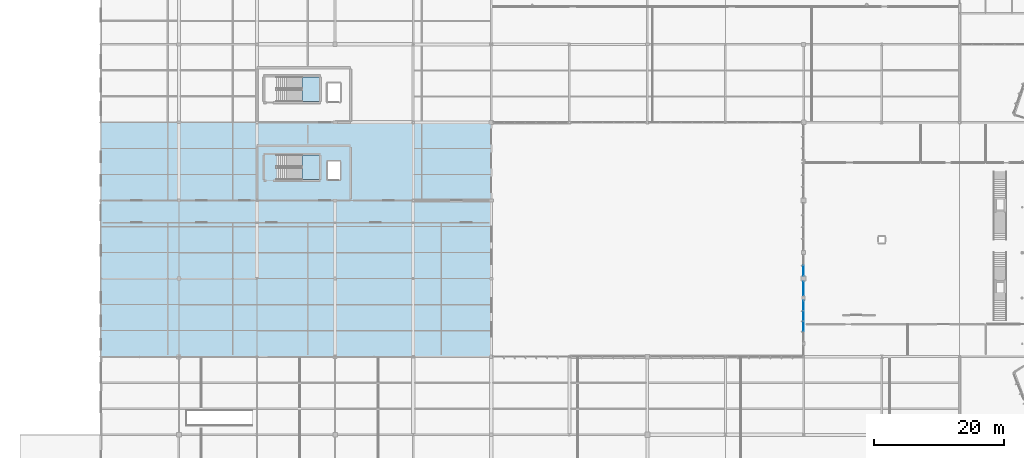
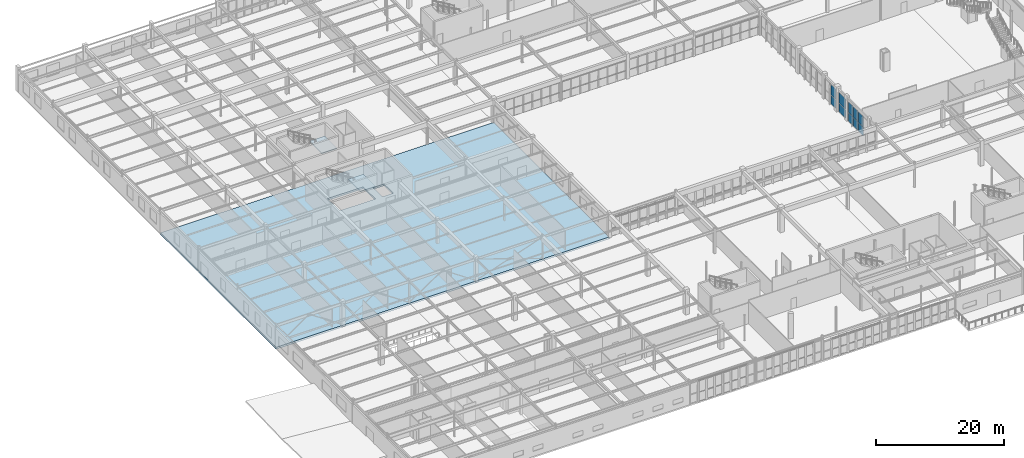
# One storey, part 119 of 199: 10 plates, 3 slabs, 5 elements without a shape of their own.
"""IFC4 building model written with IfcOpenShell, lengths in metres."""

from ifc_helpers import new_model, si_unit, direction, frame, origin, origin_2d, place, context, subcontext, project, spatial, polyline, rectangle, outline, extrude, material, layer, layer_set, type_object, element, aggregate, save


model = new_model("IFC4")

# Units and contexts
model_context = context("Model", 3, precision=1e-05, world=origin(), true_north=direction((0.0, 1.0)))
body_context = subcontext(model_context, "Body", "Model", "MODEL_VIEW")
ifc_project = project(units=[si_unit("LENGTHUNIT", "METRE"), si_unit("AREAUNIT", "SQUARE_METRE"), si_unit("VOLUMEUNIT", "CUBIC_METRE"), si_unit("PLANEANGLEUNIT", "RADIAN"), si_unit("MASSUNIT", "GRAM", prefix="KILO")], contexts=[model_context])

# Site, building, storey
site_placement = place(None, origin())
site = spatial("IfcSite", under=ifc_project, at=site_placement, CompositionType="ELEMENT")
building_placement = place(site_placement, origin())
building = spatial("IfcBuilding", under=site, at=building_placement, Name="Tarnwether General Hospital", CompositionType="ELEMENT")
storey_placement = place(building_placement, origin())
storey = spatial("IfcBuildingStorey", under=building, at=storey_placement, Name="L00", CompositionType="ELEMENT", Elevation=0.0)

# Curtain wall, plates
ifc_material_1 = material(Name="Anodised aluminium", Category="aluminium")
ifc_layer_1 = layer(ifc_material_1, 0.179931640625)
ifc_layer_set_1 = layer_set([ifc_layer_1], Name="Anodised aluminium")
curtain_wall_type = type_object("IfcCurtainWallType", Name="CW-08", PredefinedType="NOTDEFINED", material=ifc_layer_set_1)
curtain_wall_1_placement = place(storey_placement, origin())
curtain_wall_1 = element("IfcCurtainWall", 1, at=curtain_wall_1_placement, inside=storey, type_object=curtain_wall_type, Name="Curtain Wall CWG-L00-1080_479-0299", PredefinedType="NOTDEFINED")
ifc_material_2 = material(Name="Double glazed low-E glass", Category="glass")
ifc_layer_2 = layer(ifc_material_2, 0.028076171875)
ifc_layer_set_2 = layer_set([ifc_layer_2], Name="Double glazed low-E glass")
plate_type = type_object("IfcPlateType", Name="PT-CWP1", PredefinedType="CURTAIN_PANEL", material=ifc_layer_set_2)
plate_1_placement = place(storey_placement, frame((108.0, 50.283203125, 0.06005859375), z_axis=(0.0, 0.0, 1.0), x_axis=(0.0, 1.0, 0.0)))
plate_1 = element("IfcPlate", 2, at=plate_1_placement, type_object=plate_type, Name="CW-08 panel 2.1", PredefinedType="CURTAIN_PANEL", context=body_context, shape_type="SweptSolid", body=[
    extrude(rectangle(XDim=1.5234375, YDim=0.028076171875, at=origin_2d()), origin(), (0.0, 0.0, 1.0), 1.628173828125),
])
plate_2_placement = place(storey_placement, frame((108.0, 50.283203125, 1.748046875), z_axis=(0.0, 0.0, 1.0), x_axis=(0.0, 1.0, 0.0)))
plate_2 = element("IfcPlate", 3, at=plate_2_placement, type_object=plate_type, Name="CW-08 panel 2.2", PredefinedType="CURTAIN_PANEL", context=body_context, shape_type="SweptSolid", body=[
    extrude(rectangle(XDim=1.5234375, YDim=0.028076171875, at=origin_2d()), origin(), (0.0, 0.0, 1.0), 2.010009765625),
])
plate_3_placement = place(storey_placement, frame((108.0, 51.86669921875, 0.06005859375), z_axis=(0.0, 0.0, 1.0), x_axis=(0.0, 1.0, 0.0)))
plate_3 = element("IfcPlate", 4, at=plate_3_placement, type_object=plate_type, Name="CW-08 panel 3.1", PredefinedType="CURTAIN_PANEL", context=body_context, shape_type="SweptSolid", body=[
    extrude(rectangle(XDim=1.5234375, YDim=0.028076171875, at=origin_2d()), origin(), (0.0, 0.0, 1.0), 1.628173828125),
])
plate_4_placement = place(storey_placement, frame((108.0, 51.86669921875, 1.748046875), z_axis=(0.0, 0.0, 1.0), x_axis=(0.0, 1.0, 0.0)))
plate_4 = element("IfcPlate", 5, at=plate_4_placement, type_object=plate_type, Name="CW-08 panel 3.2", PredefinedType="CURTAIN_PANEL", context=body_context, shape_type="SweptSolid", body=[
    extrude(rectangle(XDim=1.5234375, YDim=0.028076171875, at=origin_2d()), origin(), (0.0, 0.0, 1.0), 2.010009765625),
])
plate_5_placement = place(storey_placement, frame((108.0, 53.435302734375, 0.06005859375), z_axis=(0.0, 0.0, 1.0), x_axis=(0.0, 1.0, 0.0)))
plate_5 = element("IfcPlate", 6, at=plate_5_placement, type_object=plate_type, Name="CW-08 panel 4.1", PredefinedType="CURTAIN_PANEL", context=body_context, shape_type="SweptSolid", body=[
    extrude(rectangle(XDim=1.493408203125, YDim=0.028076171875, at=origin_2d()), origin(), (0.0, 0.0, 1.0), 1.628173828125),
])
plate_6_placement = place(storey_placement, frame((108.0, 53.435302734375, 1.748046875), z_axis=(0.0, 0.0, 1.0), x_axis=(0.0, 1.0, 0.0)))
plate_6 = element("IfcPlate", 7, at=plate_6_placement, type_object=plate_type, Name="CW-08 panel 4.2", PredefinedType="CURTAIN_PANEL", context=body_context, shape_type="SweptSolid", body=[
    extrude(rectangle(XDim=1.493408203125, YDim=0.028076171875, at=origin_2d()), origin(), (0.0, 0.0, 1.0), 2.010009765625),
])
aggregate(curtain_wall_1, [plate_1, plate_2, plate_3, plate_4, plate_5, plate_6])

curtain_wall_2_placement = place(storey_placement, origin())
curtain_wall_2 = element("IfcCurtainWall", 8, at=curtain_wall_2_placement, inside=storey, type_object=curtain_wall_type, Name="Curtain Wall CWG-L00-1080_550-0300", PredefinedType="NOTDEFINED")
plate_7_placement = place(storey_placement, frame((108.0, 56.074951171875, 0.06005859375), z_axis=(0.0, 0.0, 1.0), x_axis=(0.0, 1.0, 0.0)))
plate_7 = element("IfcPlate", 9, at=plate_7_placement, type_object=plate_type, Name="CW-08 panel 1.1", PredefinedType="CURTAIN_PANEL", context=body_context, shape_type="SweptSolid", body=[
    extrude(rectangle(XDim=2.114013671875, YDim=0.028076171875, at=origin_2d()), origin(), (0.0, 0.0, 1.0), 1.628173828125),
])
plate_8_placement = place(storey_placement, frame((108.0, 56.074951171875, 1.748046875), z_axis=(0.0, 0.0, 1.0), x_axis=(0.0, 1.0, 0.0)))
plate_8 = element("IfcPlate", 10, at=plate_8_placement, type_object=plate_type, Name="CW-08 panel 1.2", PredefinedType="CURTAIN_PANEL", context=body_context, shape_type="SweptSolid", body=[
    extrude(rectangle(XDim=2.114013671875, YDim=0.028076171875, at=origin_2d()), origin(), (0.0, 0.0, 1.0), 2.010009765625),
])
aggregate(curtain_wall_2, [plate_7, plate_8])

curtain_wall_3_placement = place(storey_placement, origin())
curtain_wall_3 = element("IfcCurtainWall", 11, at=curtain_wall_3_placement, inside=storey, type_object=curtain_wall_type, Name="Curtain Wall CWG-L00-1080_580-0301", PredefinedType="NOTDEFINED")
plate_9_placement = place(storey_placement, frame((108.0, 58.837646484375, 0.06005859375), z_axis=(0.0, 0.0, 1.0), x_axis=(0.0, 1.0, 0.0)))
plate_9 = element("IfcPlate", 12, at=plate_9_placement, type_object=plate_type, Name="CW-08 panel 1.1", PredefinedType="CURTAIN_PANEL", context=body_context, shape_type="SweptSolid", body=[
    extrude(rectangle(XDim=1.53955078125, YDim=0.028076171875, at=origin_2d()), origin(), (0.0, 0.0, 1.0), 1.63037109375),
])
plate_10_placement = place(storey_placement, frame((108.0, 58.837646484375, 1.750244140625), z_axis=(0.0, 0.0, 1.0), x_axis=(0.0, 1.0, 0.0)))
plate_10 = element("IfcPlate", 13, at=plate_10_placement, type_object=plate_type, Name="CW-08 panel 1.2", PredefinedType="CURTAIN_PANEL", context=body_context, shape_type="SweptSolid", body=[
    extrude(rectangle(XDim=1.53955078125, YDim=0.028076171875, at=origin_2d()), origin(), (0.0, 0.0, 1.0), 2.0126953125),
])
aggregate(curtain_wall_3, [plate_9, plate_10])

# Slab
ifc_material_3 = material(Name="Concrete 40 MPa", Category="concrete")
ifc_layer_3 = layer(ifc_material_3, 0.3701171875)
ifc_layer_set_3 = layer_set([ifc_layer_3], Name="Concrete 40 MPa")
slab_type_1 = type_object("IfcSlabType", Name="SL-FL260", PredefinedType="FLOOR", material=ifc_layer_set_3)
slab_1_placement = place(storey_placement, frame((0.0, 0.0, -0.3701171875)))
element("IfcSlab", 14, at=slab_1_placement, inside=storey, type_object=slab_type_1, Name="L00 Imaging South-West Floor SL-L00-V4W1", PredefinedType="FLOOR", context=body_context, shape_type="SweptSolid", body=[
    extrude(outline(polyline([(0.0, 45.60009765625), (0.0, 81.60009765625), (60.0, 81.60009765625), (60.0, 45.60009765625), (0.0, 45.60009765625)]), holes=[polyline([(36.780029296875, 75.6298828125), (34.820068359375, 75.6298828125), (34.820068359375, 72.77001953125), (36.780029296875, 72.77001953125), (36.780029296875, 75.6298828125)]), polyline([(33.60009765625, 76.60009765625), (27.179931640625, 76.60009765625), (27.179931640625, 72.800048828125), (33.60009765625, 72.800048828125), (33.60009765625, 76.60009765625)])]), origin(), (0.0, 0.0, 1.0), 0.3701171875),
])

# Stair, slab
ifc_material_4 = material(Name="Concrete 40 MPa", Category="concrete")
stair_type_1 = type_object("IfcStairType", Name="ST-DL48A", PredefinedType="HALF_TURN_STAIR", material=ifc_material_4)
stair_1_placement = place(storey_placement, origin())
stair_1 = element("IfcStair", 15, at=stair_1_placement, inside=storey, type_object=stair_type_1, Name="L00 Exit Stair ST-03", PredefinedType="HALF_TURN_STAIR")
ifc_material_5 = material(Name="Concrete 40 MPa", Category="concrete")
ifc_layer_4 = layer(ifc_material_5, 0.199951171875)
ifc_layer_set_4 = layer_set([ifc_layer_4], Name="Concrete 40 MPa")
slab_type_2 = type_object("IfcSlabType", Name="SL-LD200", PredefinedType="LANDING", material=ifc_layer_set_4)
slab_2_placement = place(storey_placement, frame((0.0, 0.0, 2.199951171875)))
slab_2 = element("IfcSlab", 16, at=slab_2_placement, type_object=slab_type_2, Name="ST-03 landing 1", PredefinedType="LANDING", context=body_context, shape_type="SweptSolid", body=[
    extrude(outline(polyline([(30.89990234375, 72.800048828125), (33.60009765625, 72.800048828125), (33.60009765625, 76.60009765625), (30.89990234375, 76.60009765625), (30.89990234375, 72.800048828125)])), origin(), (0.0, 0.0, 1.0), 0.199951171875),
])
aggregate(stair_1, [slab_2])

ifc_material_6 = material(Name="Concrete 40 MPa", Category="concrete")
stair_type_2 = type_object("IfcStairType", Name="ST-DL48B", PredefinedType="HALF_TURN_STAIR", material=ifc_material_6)
stair_2_placement = place(storey_placement, origin())
stair_2 = element("IfcStair", 17, at=stair_2_placement, inside=storey, type_object=stair_type_2, Name="L00 Exit Stair ST-04", PredefinedType="HALF_TURN_STAIR")
slab_3_placement = place(storey_placement, frame((0.0, 0.0, 2.199951171875)))
slab_3 = element("IfcSlab", 18, at=slab_3_placement, type_object=slab_type_2, Name="ST-04 landing 1", PredefinedType="LANDING", context=body_context, shape_type="SweptSolid", body=[
    extrude(outline(polyline([(30.89990234375, 84.800048828125), (33.60009765625, 84.800048828125), (33.60009765625, 88.60009765625), (30.89990234375, 88.60009765625), (30.89990234375, 84.800048828125)])), origin(), (0.0, 0.0, 1.0), 0.199951171875),
])
aggregate(stair_2, [slab_3])

save(model, "model.ifc")
